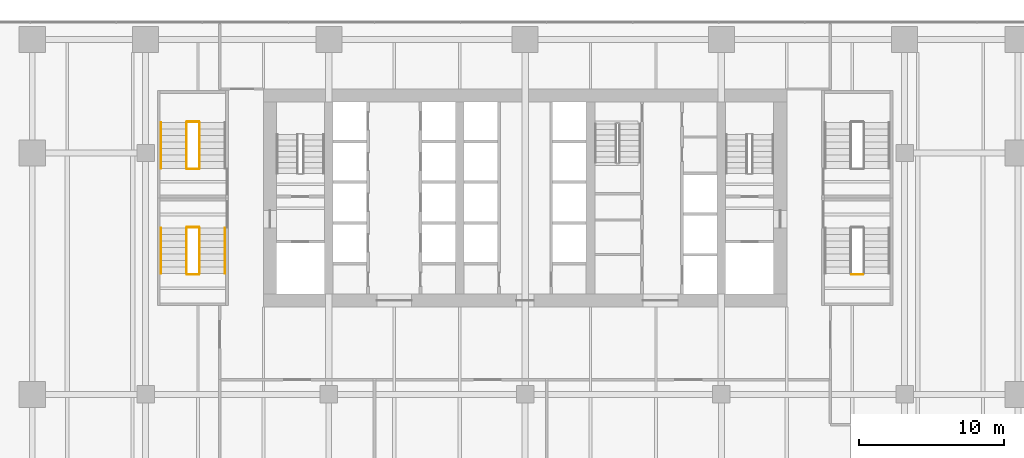
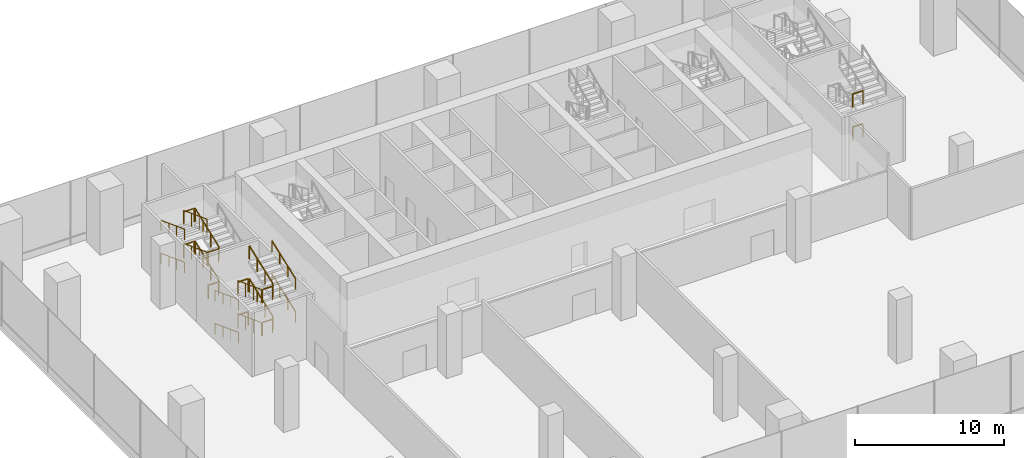
# One storey, part 23 of 26: 24 railings.
"""IFC4 building model written with IfcOpenShell, lengths in metres."""

from ifc_helpers import new_model, si_unit, direction, frame, origin, origin_2d, place, context, subcontext, project, spatial, rectangle, extrude, material, type_object, element, save


model = new_model("IFC4")

# Units and contexts
model_context = context("Model", 3, precision=1e-05, world=origin(), true_north=direction((0.0, 1.0)))
body_context = subcontext(model_context, "Body", "Model", "MODEL_VIEW")
ifc_project = project(units=[si_unit("LENGTHUNIT", "METRE"), si_unit("AREAUNIT", "SQUARE_METRE"), si_unit("VOLUMEUNIT", "CUBIC_METRE"), si_unit("PLANEANGLEUNIT", "RADIAN"), si_unit("MASSUNIT", "GRAM", prefix="KILO")], contexts=[model_context])

# Site, building, storey
site_placement = place(None, origin())
site = spatial("IfcSite", under=ifc_project, at=site_placement, CompositionType="ELEMENT")
building_placement = place(site_placement, origin())
building = spatial("IfcBuilding", under=site, at=building_placement, Name="Rattan Terrace Tower", CompositionType="ELEMENT")
storey_placement = place(building_placement, frame((0.0, 0.0, 7.199951171875)))
storey = spatial("IfcBuildingStorey", under=building, at=storey_placement, Name="L01", CompositionType="ELEMENT", Elevation=7.199951171875)

# Railings
ifc_material_1 = material(Name="Powder-coated steel guard", Category="steel")
railing_type_1 = type_object("IfcRailingType", Name="Core stair guard", PredefinedType="GUARDRAIL", material=ifc_material_1)
railing_1_placement = place(storey_placement, frame((-23.300048828125, -2.050048828125, 0.168701171875)))
element("IfcRailing", 1, at=railing_1_placement, inside=storey, type_object=railing_type_1, Name="L01 S4 stair guard 1", PredefinedType="GUARDRAIL", context=body_context, shape_type="SweptSolid", body=[
    extrude(rectangle(XDim=0.048095703125, YDim=0.048095703125, at=origin_2d()), frame((0.0, 0.0, 1.076171875), z_axis=(0.0, -0.936311282129, 0.351171159062), x_axis=(1.0, 0.0, 0.0)), (0.0, 0.0, 1.0), 3.3642578125),
    extrude(rectangle(XDim=0.0419921875, YDim=0.0419921875, at=origin_2d()), origin(), (0.0, 0.0, 1.0), 1.052001953125),
    extrude(rectangle(XDim=0.0419921875, YDim=0.0419921875, at=origin_2d()), frame((0.0, -1.050048828125, 0.393798828125)), (0.0, 0.0, 1.0), 1.052001953125),
    extrude(rectangle(XDim=0.0419921875, YDim=0.0419921875, at=origin_2d()), frame((0.0, -2.099853515625, 0.78759765625)), (0.0, 0.0, 1.0), 1.052001953125),
    extrude(rectangle(XDim=0.0419921875, YDim=0.0419921875, at=origin_2d()), frame((0.0, -3.14990234375, 1.181396484375)), (0.0, 0.0, 1.0), 1.052001953125),
])
railing_2_placement = place(storey_placement, frame((-23.25, -5.25, 1.35009765625)))
element("IfcRailing", 2, at=railing_2_placement, inside=storey, type_object=railing_type_1, Name="L01 S4 stair guard 2", PredefinedType="GUARDRAIL", context=body_context, shape_type="SweptSolid", body=[
    extrude(rectangle(XDim=0.048095703125, YDim=0.048095703125, at=origin_2d()), frame((0.0, 0.0, 1.076171875), z_axis=(1.0, 0.0, 0.0), x_axis=(0.0, 1.0, 0.0)), (0.0, 0.0, 1.0), 0.800048828125),
    extrude(rectangle(XDim=0.0419921875, YDim=0.0419921875, at=origin_2d()), origin(), (0.0, 0.0, 1.0), 1.052001953125),
    extrude(rectangle(XDim=0.0419921875, YDim=0.0419921875, at=origin_2d()), frame((0.800048828125, 0.0, 0.0)), (0.0, 0.0, 1.0), 1.052001953125),
])
railing_3_placement = place(storey_placement, frame((-22.39990234375, -5.199951171875, 1.518798828125)))
element("IfcRailing", 3, at=railing_3_placement, inside=storey, type_object=railing_type_1, Name="L01 S4 stair guard 3", PredefinedType="GUARDRAIL", context=body_context, shape_type="SweptSolid", body=[
    extrude(rectangle(XDim=0.048095703125, YDim=0.048095703125, at=origin_2d()), frame((0.0, 0.0, 1.076171875), z_axis=(0.0, 0.936335142327, 0.351107535156), x_axis=(-1.0, 0.0, 0.0)), (0.0, 0.0, 1.0), 3.364013671875),
    extrude(rectangle(XDim=0.0419921875, YDim=0.0419921875, at=origin_2d()), origin(), (0.0, 0.0, 1.0), 1.052001953125),
    extrude(rectangle(XDim=0.0419921875, YDim=0.0419921875, at=origin_2d()), frame((0.0, 1.050048828125, 0.393798828125)), (0.0, 0.0, 1.0), 1.052001953125),
    extrude(rectangle(XDim=0.0419921875, YDim=0.0419921875, at=origin_2d()), frame((0.0, 2.099853515625, 0.787353515625)), (0.0, 0.0, 1.0), 1.052001953125),
    extrude(rectangle(XDim=0.0419921875, YDim=0.0419921875, at=origin_2d()), frame((0.0, 3.14990234375, 1.18115234375)), (0.0, 0.0, 1.0), 1.052001953125),
])
railing_4_placement = place(storey_placement, frame((-23.25, -2.0, 2.699951171875)))
element("IfcRailing", 4, at=railing_4_placement, inside=storey, type_object=railing_type_1, Name="L01 S4 stair guard 4", PredefinedType="GUARDRAIL", context=body_context, shape_type="SweptSolid", body=[
    extrude(rectangle(XDim=0.048095703125, YDim=0.048095703125, at=origin_2d()), frame((0.0, 0.0, 1.076171875), z_axis=(1.0, 0.0, 0.0), x_axis=(0.0, 1.0, 0.0)), (0.0, 0.0, 1.0), 0.800048828125),
    extrude(rectangle(XDim=0.0419921875, YDim=0.0419921875, at=origin_2d()), origin(), (0.0, 0.0, 1.0), 1.052001953125),
    extrude(rectangle(XDim=0.0419921875, YDim=0.0419921875, at=origin_2d()), frame((0.800048828125, 0.0, 0.0)), (0.0, 0.0, 1.0), 1.052001953125),
])
railing_5_placement = place(storey_placement, frame((-23.300048828125, -2.050048828125, 2.868896484375)))
element("IfcRailing", 5, at=railing_5_placement, inside=storey, type_object=railing_type_1, Name="L01 S4 stair guard 5", PredefinedType="GUARDRAIL", context=body_context, shape_type="SweptSolid", body=[
    extrude(rectangle(XDim=0.048095703125, YDim=0.048095703125, at=origin_2d()), frame((0.0, 0.0, 1.076171875), z_axis=(0.0, -0.936335142327, 0.351107535156), x_axis=(1.0, 0.0, 0.0)), (0.0, 0.0, 1.0), 3.364013671875),
    extrude(rectangle(XDim=0.0419921875, YDim=0.0419921875, at=origin_2d()), origin(), (0.0, 0.0, 1.0), 1.052001953125),
    extrude(rectangle(XDim=0.0419921875, YDim=0.0419921875, at=origin_2d()), frame((0.0, -1.050048828125, 0.393798828125)), (0.0, 0.0, 1.0), 1.052001953125),
    extrude(rectangle(XDim=0.0419921875, YDim=0.0419921875, at=origin_2d()), frame((0.0, -2.099853515625, 0.787353515625)), (0.0, 0.0, 1.0), 1.052001953125),
    extrude(rectangle(XDim=0.0419921875, YDim=0.0419921875, at=origin_2d()), frame((0.0, -3.14990234375, 1.18115234375)), (0.0, 0.0, 1.0), 1.052001953125),
])
railing_6_placement = place(storey_placement, frame((-23.25, -5.25, 4.050048828125)))
element("IfcRailing", 6, at=railing_6_placement, inside=storey, type_object=railing_type_1, Name="L01 S4 stair guard 6", PredefinedType="GUARDRAIL", context=body_context, shape_type="SweptSolid", body=[
    extrude(rectangle(XDim=0.048095703125, YDim=0.048095703125, at=origin_2d()), frame((0.0, 0.0, 1.076171875), z_axis=(1.0, 0.0, 0.0), x_axis=(0.0, 1.0, 0.0)), (0.0, 0.0, 1.0), 0.800048828125),
    extrude(rectangle(XDim=0.0419921875, YDim=0.0419921875, at=origin_2d()), origin(), (0.0, 0.0, 1.0), 1.052001953125),
    extrude(rectangle(XDim=0.0419921875, YDim=0.0419921875, at=origin_2d()), frame((0.800048828125, 0.0, 0.0)), (0.0, 0.0, 1.0), 1.052001953125),
])
railing_7_placement = place(storey_placement, frame((-22.39990234375, -5.199951171875, 4.21875)))
element("IfcRailing", 7, at=railing_7_placement, inside=storey, type_object=railing_type_1, Name="L01 S4 stair guard 7", PredefinedType="GUARDRAIL", context=body_context, shape_type="SweptSolid", body=[
    extrude(rectangle(XDim=0.048095703125, YDim=0.048095703125, at=origin_2d()), frame((0.0, 0.0, 1.076171875), z_axis=(0.0, 0.936311282129, 0.351171159062), x_axis=(-1.0, 0.0, 0.0)), (0.0, 0.0, 1.0), 3.3642578125),
    extrude(rectangle(XDim=0.0419921875, YDim=0.0419921875, at=origin_2d()), origin(), (0.0, 0.0, 1.0), 1.052001953125),
    extrude(rectangle(XDim=0.0419921875, YDim=0.0419921875, at=origin_2d()), frame((0.0, 1.050048828125, 0.393798828125)), (0.0, 0.0, 1.0), 1.052001953125),
    extrude(rectangle(XDim=0.0419921875, YDim=0.0419921875, at=origin_2d()), frame((0.0, 2.099853515625, 0.78759765625)), (0.0, 0.0, 1.0), 1.052001953125),
    extrude(rectangle(XDim=0.0419921875, YDim=0.0419921875, at=origin_2d()), frame((0.0, 3.14990234375, 1.181396484375)), (0.0, 0.0, 1.0), 1.052001953125),
])
railing_8_placement = place(storey_placement, frame((-23.25, -2.0, 0.0)))
element("IfcRailing", 8, at=railing_8_placement, inside=storey, type_object=railing_type_1, Name="L01 S4 stair guard 8", PredefinedType="GUARDRAIL", context=body_context, shape_type="SweptSolid", body=[
    extrude(rectangle(XDim=0.048095703125, YDim=0.048095703125, at=origin_2d()), frame((0.0, 0.0, 1.076171875), z_axis=(1.0, 0.0, 0.0), x_axis=(0.0, 1.0, 0.0)), (0.0, 0.0, 1.0), 0.800048828125),
    extrude(rectangle(XDim=0.0419921875, YDim=0.0419921875, at=origin_2d()), origin(), (0.0, 0.0, 1.0), 1.052001953125),
    extrude(rectangle(XDim=0.0419921875, YDim=0.0419921875, at=origin_2d()), frame((0.800048828125, 0.0, 0.0)), (0.0, 0.0, 1.0), 1.052001953125),
])
railing_9_placement = place(storey_placement, frame((-22.39990234375, 2.050048828125, 0.168701171875)))
element("IfcRailing", 9, at=railing_9_placement, inside=storey, type_object=railing_type_1, Name="L01 S5 stair guard 1", PredefinedType="GUARDRAIL", context=body_context, shape_type="SweptSolid", body=[
    extrude(rectangle(XDim=0.048095703125, YDim=0.048095703125, at=origin_2d()), frame((0.0, 0.0, 1.076171875), z_axis=(0.0, 0.936311282129, 0.351171159062), x_axis=(-1.0, 0.0, 0.0)), (0.0, 0.0, 1.0), 3.3642578125),
    extrude(rectangle(XDim=0.0419921875, YDim=0.0419921875, at=origin_2d()), origin(), (0.0, 0.0, 1.0), 1.052001953125),
    extrude(rectangle(XDim=0.0419921875, YDim=0.0419921875, at=origin_2d()), frame((0.0, 1.050048828125, 0.393798828125)), (0.0, 0.0, 1.0), 1.052001953125),
    extrude(rectangle(XDim=0.0419921875, YDim=0.0419921875, at=origin_2d()), frame((0.0, 2.099853515625, 0.78759765625)), (0.0, 0.0, 1.0), 1.052001953125),
    extrude(rectangle(XDim=0.0419921875, YDim=0.0419921875, at=origin_2d()), frame((0.0, 3.14990234375, 1.181396484375)), (0.0, 0.0, 1.0), 1.052001953125),
])
railing_10_placement = place(storey_placement, frame((-22.449951171875, 5.25, 1.35009765625)))
element("IfcRailing", 10, at=railing_10_placement, inside=storey, type_object=railing_type_1, Name="L01 S5 stair guard 2", PredefinedType="GUARDRAIL", context=body_context, shape_type="SweptSolid", body=[
    extrude(rectangle(XDim=0.048095703125, YDim=0.048095703125, at=origin_2d()), frame((0.0, 0.0, 1.076171875), z_axis=(-1.0, 0.0, 0.0), x_axis=(0.0, -1.0, 0.0)), (0.0, 0.0, 1.0), 0.800048828125),
    extrude(rectangle(XDim=0.0419921875, YDim=0.0419921875, at=origin_2d()), origin(), (0.0, 0.0, 1.0), 1.052001953125),
    extrude(rectangle(XDim=0.0419921875, YDim=0.0419921875, at=origin_2d()), frame((-0.800048828125, 0.0, 0.0)), (0.0, 0.0, 1.0), 1.052001953125),
])
railing_11_placement = place(storey_placement, frame((-23.300048828125, 5.199951171875, 1.518798828125)))
element("IfcRailing", 11, at=railing_11_placement, inside=storey, type_object=railing_type_1, Name="L01 S5 stair guard 3", PredefinedType="GUARDRAIL", context=body_context, shape_type="SweptSolid", body=[
    extrude(rectangle(XDim=0.048095703125, YDim=0.048095703125, at=origin_2d()), frame((0.0, 0.0, 1.076171875), z_axis=(0.0, -0.936335142327, 0.351107535156), x_axis=(1.0, 0.0, 0.0)), (0.0, 0.0, 1.0), 3.364013671875),
    extrude(rectangle(XDim=0.0419921875, YDim=0.0419921875, at=origin_2d()), origin(), (0.0, 0.0, 1.0), 1.052001953125),
    extrude(rectangle(XDim=0.0419921875, YDim=0.0419921875, at=origin_2d()), frame((0.0, -1.050048828125, 0.393798828125)), (0.0, 0.0, 1.0), 1.052001953125),
    extrude(rectangle(XDim=0.0419921875, YDim=0.0419921875, at=origin_2d()), frame((0.0, -2.099853515625, 0.787353515625)), (0.0, 0.0, 1.0), 1.052001953125),
    extrude(rectangle(XDim=0.0419921875, YDim=0.0419921875, at=origin_2d()), frame((0.0, -3.14990234375, 1.18115234375)), (0.0, 0.0, 1.0), 1.052001953125),
])
railing_12_placement = place(storey_placement, frame((-22.449951171875, 2.0, 2.699951171875)))
element("IfcRailing", 12, at=railing_12_placement, inside=storey, type_object=railing_type_1, Name="L01 S5 stair guard 4", PredefinedType="GUARDRAIL", context=body_context, shape_type="SweptSolid", body=[
    extrude(rectangle(XDim=0.048095703125, YDim=0.048095703125, at=origin_2d()), frame((0.0, 0.0, 1.076171875), z_axis=(-1.0, 0.0, 0.0), x_axis=(0.0, -1.0, 0.0)), (0.0, 0.0, 1.0), 0.800048828125),
    extrude(rectangle(XDim=0.0419921875, YDim=0.0419921875, at=origin_2d()), origin(), (0.0, 0.0, 1.0), 1.052001953125),
    extrude(rectangle(XDim=0.0419921875, YDim=0.0419921875, at=origin_2d()), frame((-0.800048828125, 0.0, 0.0)), (0.0, 0.0, 1.0), 1.052001953125),
])
railing_13_placement = place(storey_placement, frame((-22.39990234375, 2.050048828125, 2.868896484375)))
element("IfcRailing", 13, at=railing_13_placement, inside=storey, type_object=railing_type_1, Name="L01 S5 stair guard 5", PredefinedType="GUARDRAIL", context=body_context, shape_type="SweptSolid", body=[
    extrude(rectangle(XDim=0.048095703125, YDim=0.048095703125, at=origin_2d()), frame((0.0, 0.0, 1.076171875), z_axis=(0.0, 0.936335142327, 0.351107535156), x_axis=(-1.0, 0.0, 0.0)), (0.0, 0.0, 1.0), 3.364013671875),
    extrude(rectangle(XDim=0.0419921875, YDim=0.0419921875, at=origin_2d()), origin(), (0.0, 0.0, 1.0), 1.052001953125),
    extrude(rectangle(XDim=0.0419921875, YDim=0.0419921875, at=origin_2d()), frame((0.0, 1.050048828125, 0.393798828125)), (0.0, 0.0, 1.0), 1.052001953125),
    extrude(rectangle(XDim=0.0419921875, YDim=0.0419921875, at=origin_2d()), frame((0.0, 2.099853515625, 0.787353515625)), (0.0, 0.0, 1.0), 1.052001953125),
    extrude(rectangle(XDim=0.0419921875, YDim=0.0419921875, at=origin_2d()), frame((0.0, 3.14990234375, 1.18115234375)), (0.0, 0.0, 1.0), 1.052001953125),
])
railing_14_placement = place(storey_placement, frame((-22.449951171875, 5.25, 4.050048828125)))
element("IfcRailing", 14, at=railing_14_placement, inside=storey, type_object=railing_type_1, Name="L01 S5 stair guard 6", PredefinedType="GUARDRAIL", context=body_context, shape_type="SweptSolid", body=[
    extrude(rectangle(XDim=0.048095703125, YDim=0.048095703125, at=origin_2d()), frame((0.0, 0.0, 1.076171875), z_axis=(-1.0, 0.0, 0.0), x_axis=(0.0, -1.0, 0.0)), (0.0, 0.0, 1.0), 0.800048828125),
    extrude(rectangle(XDim=0.0419921875, YDim=0.0419921875, at=origin_2d()), origin(), (0.0, 0.0, 1.0), 1.052001953125),
    extrude(rectangle(XDim=0.0419921875, YDim=0.0419921875, at=origin_2d()), frame((-0.800048828125, 0.0, 0.0)), (0.0, 0.0, 1.0), 1.052001953125),
])
railing_15_placement = place(storey_placement, frame((-23.300048828125, 5.199951171875, 4.21875)))
element("IfcRailing", 15, at=railing_15_placement, inside=storey, type_object=railing_type_1, Name="L01 S5 stair guard 7", PredefinedType="GUARDRAIL", context=body_context, shape_type="SweptSolid", body=[
    extrude(rectangle(XDim=0.048095703125, YDim=0.048095703125, at=origin_2d()), frame((0.0, 0.0, 1.076171875), z_axis=(0.0, -0.936311282129, 0.351171159062), x_axis=(1.0, 0.0, 0.0)), (0.0, 0.0, 1.0), 3.3642578125),
    extrude(rectangle(XDim=0.0419921875, YDim=0.0419921875, at=origin_2d()), origin(), (0.0, 0.0, 1.0), 1.052001953125),
    extrude(rectangle(XDim=0.0419921875, YDim=0.0419921875, at=origin_2d()), frame((0.0, -1.050048828125, 0.393798828125)), (0.0, 0.0, 1.0), 1.052001953125),
    extrude(rectangle(XDim=0.0419921875, YDim=0.0419921875, at=origin_2d()), frame((0.0, -2.099853515625, 0.78759765625)), (0.0, 0.0, 1.0), 1.052001953125),
    extrude(rectangle(XDim=0.0419921875, YDim=0.0419921875, at=origin_2d()), frame((0.0, -3.14990234375, 1.181396484375)), (0.0, 0.0, 1.0), 1.052001953125),
])
railing_16_placement = place(storey_placement, frame((-22.449951171875, 2.0, 0.0)))
element("IfcRailing", 16, at=railing_16_placement, inside=storey, type_object=railing_type_1, Name="L01 S5 stair guard 8", PredefinedType="GUARDRAIL", context=body_context, shape_type="SweptSolid", body=[
    extrude(rectangle(XDim=0.048095703125, YDim=0.048095703125, at=origin_2d()), frame((0.0, 0.0, 1.076171875), z_axis=(-1.0, 0.0, 0.0), x_axis=(0.0, -1.0, 0.0)), (0.0, 0.0, 1.0), 0.800048828125),
    extrude(rectangle(XDim=0.0419921875, YDim=0.0419921875, at=origin_2d()), origin(), (0.0, 0.0, 1.0), 1.052001953125),
    extrude(rectangle(XDim=0.0419921875, YDim=0.0419921875, at=origin_2d()), frame((-0.800048828125, 0.0, 0.0)), (0.0, 0.0, 1.0), 1.052001953125),
])
for number, where, name in (
    (17, (22.449951171875, -5.25, 1.35009765625), "L01 S6 stair guard 2"),
    (18, (22.449951171875, -5.25, 4.050048828125), "L01 S6 stair guard 6"),
):
    element("IfcRailing", number, at=place(storey_placement, frame(where)), inside=storey, type_object=railing_type_1, Name=name, PredefinedType="GUARDRAIL", context=body_context, shape_type="SweptSolid", body=[
        extrude(rectangle(XDim=0.048095703125, YDim=0.048095703125, at=origin_2d()), frame((0.0, 0.0, 1.076171875), z_axis=(1.0, 0.0, 0.0), x_axis=(0.0, 1.0, 0.0)), (0.0, 0.0, 1.0), 0.800048828125),
        extrude(rectangle(XDim=0.0419921875, YDim=0.0419921875, at=origin_2d()), origin(), (0.0, 0.0, 1.0), 1.052001953125),
        extrude(rectangle(XDim=0.0419921875, YDim=0.0419921875, at=origin_2d()), frame((0.800048828125, 0.0, 0.0)), (0.0, 0.0, 1.0), 1.052001953125),
    ])
ifc_material_2 = material(Name="Powder-coated steel handrail", Category="steel")
railing_type_2 = type_object("IfcRailingType", Name="Core stair handrail", PredefinedType="HANDRAIL", material=ifc_material_2)
railing_17_placement = place(storey_placement, frame((-25.050048828125, -2.050048828125, 0.168701171875)))
element("IfcRailing", 19, at=railing_17_placement, inside=storey, type_object=railing_type_2, Name="L01 S4 stair handrail 1", PredefinedType="HANDRAIL", context=body_context, shape_type="SweptSolid", body=[
    extrude(rectangle(XDim=0.048095703125, YDim=0.048095703125, at=origin_2d()), frame((0.0, 0.0, 0.8759765625), z_axis=(0.0, -0.936311282129, 0.351171159062), x_axis=(1.0, 0.0, 0.0)), (0.0, 0.0, 1.0), 3.3642578125),
    extrude(rectangle(XDim=0.0419921875, YDim=0.0419921875, at=origin_2d()), origin(), (0.0, 0.0, 1.0), 0.851806640625),
    extrude(rectangle(XDim=0.0419921875, YDim=0.0419921875, at=origin_2d()), frame((0.0, -1.050048828125, 0.393798828125)), (0.0, 0.0, 1.0), 0.851806640625),
    extrude(rectangle(XDim=0.0419921875, YDim=0.0419921875, at=origin_2d()), frame((0.0, -2.099853515625, 0.78759765625)), (0.0, 0.0, 1.0), 0.851806640625),
    extrude(rectangle(XDim=0.0419921875, YDim=0.0419921875, at=origin_2d()), frame((0.0, -3.14990234375, 1.181396484375)), (0.0, 0.0, 1.0), 0.851806640625),
])
railing_18_placement = place(storey_placement, frame((-20.64990234375, -5.199951171875, 1.518798828125)))
element("IfcRailing", 20, at=railing_18_placement, inside=storey, type_object=railing_type_2, Name="L01 S4 stair handrail 2", PredefinedType="HANDRAIL", context=body_context, shape_type="SweptSolid", body=[
    extrude(rectangle(XDim=0.048095703125, YDim=0.048095703125, at=origin_2d()), frame((0.0, 0.0, 0.8759765625), z_axis=(0.0, 0.936335142327, 0.351107535156), x_axis=(-1.0, 0.0, 0.0)), (0.0, 0.0, 1.0), 3.364013671875),
    extrude(rectangle(XDim=0.0419921875, YDim=0.0419921875, at=origin_2d()), origin(), (0.0, 0.0, 1.0), 0.851806640625),
    extrude(rectangle(XDim=0.0419921875, YDim=0.0419921875, at=origin_2d()), frame((0.0, 1.050048828125, 0.393798828125)), (0.0, 0.0, 1.0), 0.851806640625),
    extrude(rectangle(XDim=0.0419921875, YDim=0.0419921875, at=origin_2d()), frame((0.0, 2.099853515625, 0.787353515625)), (0.0, 0.0, 1.0), 0.851806640625),
    extrude(rectangle(XDim=0.0419921875, YDim=0.0419921875, at=origin_2d()), frame((0.0, 3.14990234375, 1.18115234375)), (0.0, 0.0, 1.0), 0.851806640625),
])
railing_19_placement = place(storey_placement, frame((-25.050048828125, -2.050048828125, 2.868896484375)))
element("IfcRailing", 21, at=railing_19_placement, inside=storey, type_object=railing_type_2, Name="L01 S4 stair handrail 3", PredefinedType="HANDRAIL", context=body_context, shape_type="SweptSolid", body=[
    extrude(rectangle(XDim=0.048095703125, YDim=0.048095703125, at=origin_2d()), frame((0.0, 0.0, 0.8759765625), z_axis=(0.0, -0.936335142327, 0.351107535156), x_axis=(1.0, 0.0, 0.0)), (0.0, 0.0, 1.0), 3.364013671875),
    extrude(rectangle(XDim=0.0419921875, YDim=0.0419921875, at=origin_2d()), origin(), (0.0, 0.0, 1.0), 0.851806640625),
    extrude(rectangle(XDim=0.0419921875, YDim=0.0419921875, at=origin_2d()), frame((0.0, -1.050048828125, 0.393798828125)), (0.0, 0.0, 1.0), 0.851806640625),
    extrude(rectangle(XDim=0.0419921875, YDim=0.0419921875, at=origin_2d()), frame((0.0, -2.099853515625, 0.787353515625)), (0.0, 0.0, 1.0), 0.851806640625),
    extrude(rectangle(XDim=0.0419921875, YDim=0.0419921875, at=origin_2d()), frame((0.0, -3.14990234375, 1.18115234375)), (0.0, 0.0, 1.0), 0.851806640625),
])
railing_20_placement = place(storey_placement, frame((-20.64990234375, -5.199951171875, 4.21875)))
element("IfcRailing", 22, at=railing_20_placement, inside=storey, type_object=railing_type_2, Name="L01 S4 stair handrail 4", PredefinedType="HANDRAIL", context=body_context, shape_type="SweptSolid", body=[
    extrude(rectangle(XDim=0.048095703125, YDim=0.048095703125, at=origin_2d()), frame((0.0, 0.0, 0.8759765625), z_axis=(0.0, 0.936311282129, 0.351171159062), x_axis=(-1.0, 0.0, 0.0)), (0.0, 0.0, 1.0), 3.3642578125),
    extrude(rectangle(XDim=0.0419921875, YDim=0.0419921875, at=origin_2d()), origin(), (0.0, 0.0, 1.0), 0.851806640625),
    extrude(rectangle(XDim=0.0419921875, YDim=0.0419921875, at=origin_2d()), frame((0.0, 1.050048828125, 0.393798828125)), (0.0, 0.0, 1.0), 0.851806640625),
    extrude(rectangle(XDim=0.0419921875, YDim=0.0419921875, at=origin_2d()), frame((0.0, 2.099853515625, 0.78759765625)), (0.0, 0.0, 1.0), 0.851806640625),
    extrude(rectangle(XDim=0.0419921875, YDim=0.0419921875, at=origin_2d()), frame((0.0, 3.14990234375, 1.181396484375)), (0.0, 0.0, 1.0), 0.851806640625),
])
railing_21_placement = place(storey_placement, frame((-25.050048828125, 5.199951171875, 1.518798828125)))
element("IfcRailing", 23, at=railing_21_placement, inside=storey, type_object=railing_type_2, Name="L01 S5 stair handrail 2", PredefinedType="HANDRAIL", context=body_context, shape_type="SweptSolid", body=[
    extrude(rectangle(XDim=0.048095703125, YDim=0.048095703125, at=origin_2d()), frame((0.0, 0.0, 0.8759765625), z_axis=(0.0, -0.936335142327, 0.351107535156), x_axis=(1.0, 0.0, 0.0)), (0.0, 0.0, 1.0), 3.364013671875),
    extrude(rectangle(XDim=0.0419921875, YDim=0.0419921875, at=origin_2d()), origin(), (0.0, 0.0, 1.0), 0.851806640625),
    extrude(rectangle(XDim=0.0419921875, YDim=0.0419921875, at=origin_2d()), frame((0.0, -1.050048828125, 0.393798828125)), (0.0, 0.0, 1.0), 0.851806640625),
    extrude(rectangle(XDim=0.0419921875, YDim=0.0419921875, at=origin_2d()), frame((0.0, -2.099853515625, 0.787353515625)), (0.0, 0.0, 1.0), 0.851806640625),
    extrude(rectangle(XDim=0.0419921875, YDim=0.0419921875, at=origin_2d()), frame((0.0, -3.14990234375, 1.18115234375)), (0.0, 0.0, 1.0), 0.851806640625),
])
railing_22_placement = place(storey_placement, frame((-25.050048828125, 5.199951171875, 4.21875)))
element("IfcRailing", 24, at=railing_22_placement, inside=storey, type_object=railing_type_2, Name="L01 S5 stair handrail 4", PredefinedType="HANDRAIL", context=body_context, shape_type="SweptSolid", body=[
    extrude(rectangle(XDim=0.048095703125, YDim=0.048095703125, at=origin_2d()), frame((0.0, 0.0, 0.8759765625), z_axis=(0.0, -0.936311282129, 0.351171159062), x_axis=(1.0, 0.0, 0.0)), (0.0, 0.0, 1.0), 3.3642578125),
    extrude(rectangle(XDim=0.0419921875, YDim=0.0419921875, at=origin_2d()), origin(), (0.0, 0.0, 1.0), 0.851806640625),
    extrude(rectangle(XDim=0.0419921875, YDim=0.0419921875, at=origin_2d()), frame((0.0, -1.050048828125, 0.393798828125)), (0.0, 0.0, 1.0), 0.851806640625),
    extrude(rectangle(XDim=0.0419921875, YDim=0.0419921875, at=origin_2d()), frame((0.0, -2.099853515625, 0.78759765625)), (0.0, 0.0, 1.0), 0.851806640625),
    extrude(rectangle(XDim=0.0419921875, YDim=0.0419921875, at=origin_2d()), frame((0.0, -3.14990234375, 1.181396484375)), (0.0, 0.0, 1.0), 0.851806640625),
])

save(model, "model.ifc")
